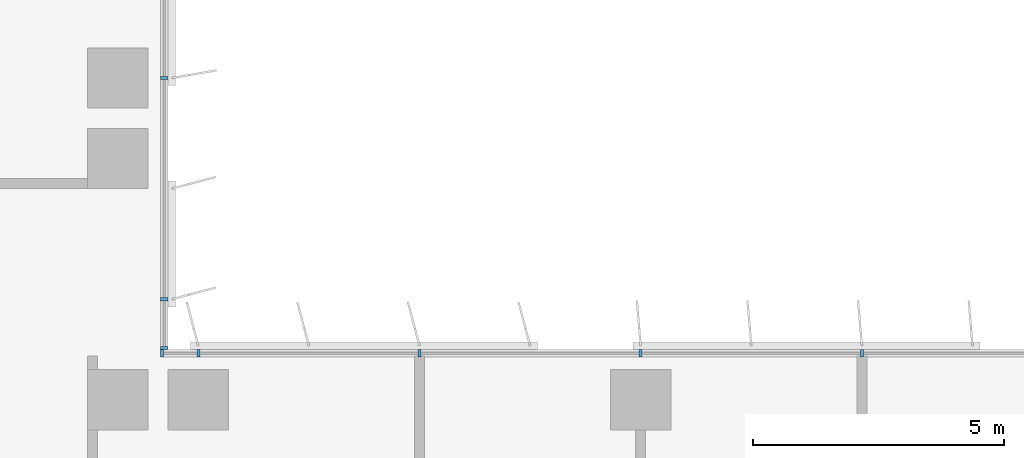
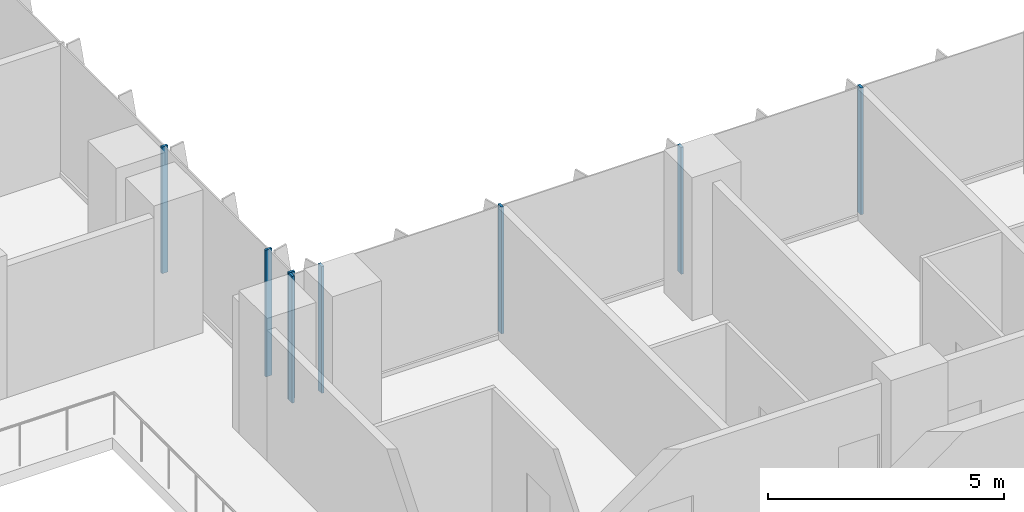
# One storey, part 2 of 23: 8 members, 2 elements without a shape of their own.
"""IFC4 building model written with IfcOpenShell, lengths in metres."""

from ifc_helpers import new_model, si_unit, direction, frame, origin, origin_2d, place, context, subcontext, project, spatial, rectangle, extrude, source, transform, mapped, material, material_profile, profile_set, type_object, element, aggregate, save


model = new_model("IFC4")

# Units and contexts
model_context = context("Model", 3, precision=1e-05, world=origin(), true_north=direction((0.0, 1.0)))
body_context = subcontext(model_context, "Body", "Model", "MODEL_VIEW")
ifc_project = project(units=[si_unit("LENGTHUNIT", "METRE"), si_unit("AREAUNIT", "SQUARE_METRE"), si_unit("VOLUMEUNIT", "CUBIC_METRE"), si_unit("PLANEANGLEUNIT", "RADIAN"), si_unit("MASSUNIT", "GRAM", prefix="KILO")], contexts=[model_context])

# Site, building, storey
site_placement = place(None, origin())
site = spatial("IfcSite", under=ifc_project, at=site_placement, CompositionType="ELEMENT")
building_placement = place(site_placement, origin())
building = spatial("IfcBuilding", under=site, at=building_placement, Name="Kemantara Hotel Tower", CompositionType="ELEMENT")
storey_placement = place(building_placement, frame((0.0, 0.0, 138.300048828125)))
storey = spatial("IfcBuildingStorey", under=building, at=storey_placement, Name="L33", CompositionType="ELEMENT", Elevation=138.300048828125)

# Curtain wall, members
ifc_material_1 = material(Name="Low-E tinted double insulated glass 36 mm", Category="glass")
curtain_wall_type = type_object("IfcCurtainWallType", Name="TOWER CURTAIN WALL, FRONT FACES", PredefinedType="USERDEFINED", material=ifc_material_1)
curtain_wall_1_placement = place(storey_placement, origin())
curtain_wall_1 = element("IfcCurtainWall", 1, at=curtain_wall_1_placement, inside=storey, type_object=curtain_wall_type, Name="CW4 L33 T2-R13-1", ObjectType="TOWER CURTAIN WALL, FRONT FACES", PredefinedType="USERDEFINED")
ifc_material_2 = material(Name="Aluminium 6063-T6 bronze anodised", Category="aluminium")
ifc_material_profile = material_profile(ifc_material_2, rectangle(XDim=0.14990234375, YDim=0.06005859375, at=origin_2d()), Name="TOWER CURTAIN WALL, FRONT FACES MULLION")
ifc_profile_set = profile_set([ifc_material_profile], Name="Aluminium 6063-T6 bronze anodised")
member_type = type_object("IfcMemberType", Name="TOWER CURTAIN WALL, FRONT FACES MULLION", PredefinedType="MULLION", material=ifc_profile_set)
shared_shape = source(origin(), body_context, "Body", "SweptSolid", [
    extrude(rectangle(XDim=0.14990234375, YDim=0.06005859375, at=origin_2d()), origin(), (0.0, 0.0, 1.0), 3.280029296875),
])
member_1_placement = place(storey_placement, frame((40.60009765625, 21.925048828125, 0.119873046875), z_axis=(0.0, 0.0, 1.0), x_axis=(0.0, -1.0, 0.0)))
member_1 = element("IfcMember", 2, at=member_1_placement, type_object=member_type, Name="CW4 mullion T2-R13-1.6", PredefinedType="MULLION", context=body_context, shape_type="MappedRepresentation", body=[
    mapped(shared_shape, transform((0.0, 0.0, 0.0))),
])
member_2_placement = place(storey_placement, frame((36.199951171875, 21.925048828125, 0.119873046875), z_axis=(0.0, 0.0, 1.0), x_axis=(0.0, -1.0, 0.0)))
member_2 = element("IfcMember", 3, at=member_2_placement, type_object=member_type, Name="CW4 mullion T2-R13-1.7", PredefinedType="MULLION", context=body_context, shape_type="MappedRepresentation", body=[
    mapped(shared_shape, transform((0.0, 0.0, 0.0))),
])
member_3_placement = place(storey_placement, frame((31.800048828125, 21.925048828125, 0.119873046875), z_axis=(0.0, 0.0, 1.0), x_axis=(0.0, -1.0, 0.0)))
member_3 = element("IfcMember", 4, at=member_3_placement, type_object=member_type, Name="CW4 mullion T2-R13-1.8", PredefinedType="MULLION", context=body_context, shape_type="MappedRepresentation", body=[
    mapped(shared_shape, transform((0.0, 0.0, 0.0))),
])
member_4_placement = place(storey_placement, frame((27.39990234375, 21.925048828125, 0.119873046875), z_axis=(0.0, 0.0, 1.0), x_axis=(0.0, -1.0, 0.0)))
member_4 = element("IfcMember", 5, at=member_4_placement, type_object=member_type, Name="CW4 mullion T2-R13-1.9", PredefinedType="MULLION", context=body_context, shape_type="MappedRepresentation", body=[
    mapped(shared_shape, transform((0.0, 0.0, 0.0))),
])
member_5_placement = place(storey_placement, frame((26.679931640625, 21.925048828125, 0.119873046875), z_axis=(0.0, 0.0, 1.0), x_axis=(0.0, -1.0, 0.0)))
member_5 = element("IfcMember", 6, at=member_5_placement, type_object=member_type, Name="CW4 mullion T2-R13-1.10", PredefinedType="MULLION", context=body_context, shape_type="MappedRepresentation", body=[
    mapped(shared_shape, transform((0.0, 0.0, 0.0))),
])
aggregate(curtain_wall_1, [member_1, member_2, member_3, member_4, member_5])

curtain_wall_2_placement = place(storey_placement, origin())
curtain_wall_2 = element("IfcCurtainWall", 7, at=curtain_wall_2_placement, inside=storey, type_object=curtain_wall_type, Name="CW4 L33 T2-R14-1", ObjectType="TOWER CURTAIN WALL, FRONT FACES", PredefinedType="USERDEFINED")
member_6_placement = place(storey_placement, frame((26.72509765625, 22.030029296875, 0.119873046875), z_axis=(0.0, 0.0, 1.0), x_axis=(-1.0, 0.0, 0.0)))
member_6 = element("IfcMember", 8, at=member_6_placement, type_object=member_type, Name="CW4 mullion T2-R14-1.1", PredefinedType="MULLION", context=body_context, shape_type="MappedRepresentation", body=[
    mapped(shared_shape, transform((0.0, 0.0, 0.0))),
])
member_7_placement = place(storey_placement, frame((26.72509765625, 23.0, 0.119873046875), z_axis=(0.0, 0.0, 1.0), x_axis=(-1.0, 0.0, 0.0)))
member_7 = element("IfcMember", 9, at=member_7_placement, type_object=member_type, Name="CW4 mullion T2-R14-1.2", PredefinedType="MULLION", context=body_context, shape_type="MappedRepresentation", body=[
    mapped(shared_shape, transform((0.0, 0.0, 0.0))),
])
member_8_placement = place(storey_placement, frame((26.72509765625, 27.39990234375, 0.119873046875), z_axis=(0.0, 0.0, 1.0), x_axis=(-1.0, 0.0, 0.0)))
member_8 = element("IfcMember", 10, at=member_8_placement, type_object=member_type, Name="CW4 mullion T2-R14-1.3", PredefinedType="MULLION", context=body_context, shape_type="MappedRepresentation", body=[
    mapped(shared_shape, transform((0.0, 0.0, 0.0))),
])
aggregate(curtain_wall_2, [member_6, member_7, member_8])

save(model, "model.ifc")
